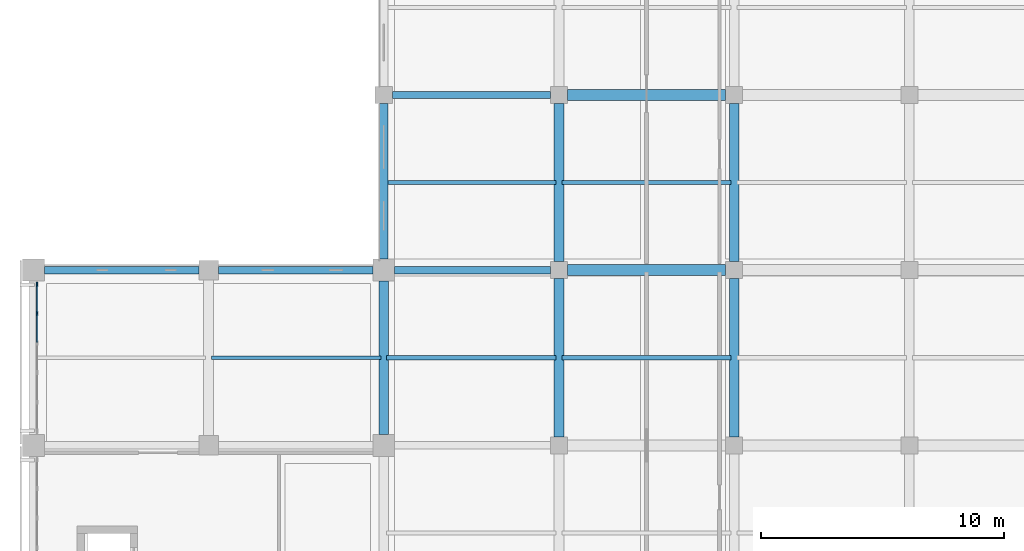
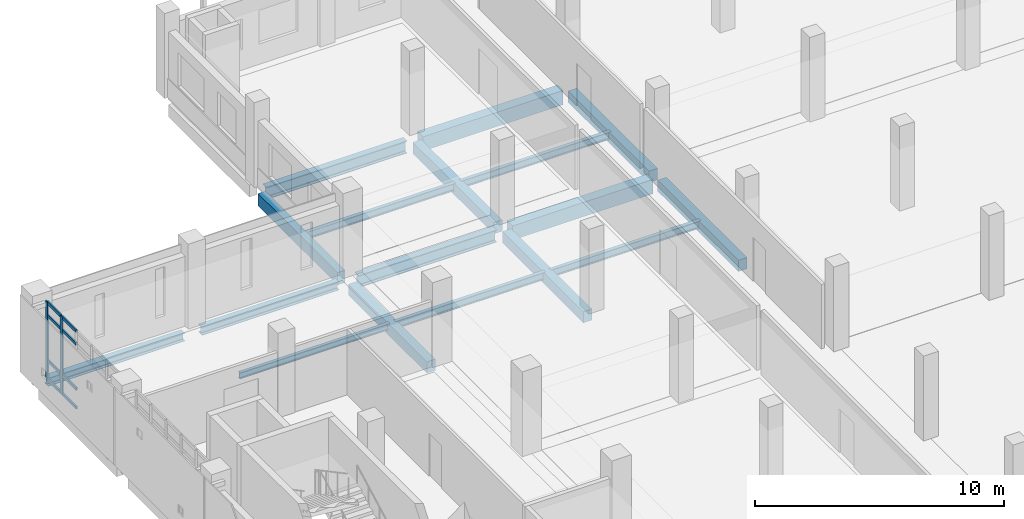
# One storey, part 24 of 62: 17 beams, 10 members, 1 element without a shape of its own.
"""IFC4 building model written with IfcOpenShell, lengths in metres."""

from ifc_helpers import new_model, si_unit, direction, frame, origin, origin_2d, place, context, subcontext, project, spatial, rectangle, i_section, extrude, material, layer, layer_set, material_profile, profile_set, type_object, element, aggregate, save


model = new_model("IFC4")

# Units and contexts
model_context = context("Model", 3, precision=1e-05, world=origin(), true_north=direction((0.0, 1.0)))
body_context = subcontext(model_context, "Body", "Model", "MODEL_VIEW")
ifc_project = project(units=[si_unit("LENGTHUNIT", "METRE"), si_unit("AREAUNIT", "SQUARE_METRE"), si_unit("VOLUMEUNIT", "CUBIC_METRE"), si_unit("PLANEANGLEUNIT", "RADIAN"), si_unit("MASSUNIT", "GRAM", prefix="KILO")], contexts=[model_context])

# Site, building, storey
site_placement = place(None, origin())
site = spatial("IfcSite", under=ifc_project, at=site_placement, CompositionType="ELEMENT")
building_placement = place(site_placement, origin())
building = spatial("IfcBuilding", under=site, at=building_placement, Name="Valkovuoma Quantum and Materials Research Institute", CompositionType="ELEMENT")
storey_placement = place(building_placement, frame((0.0, 0.0, 8.9599609375)))
storey = spatial("IfcBuildingStorey", under=building, at=storey_placement, Name="L02", CompositionType="ELEMENT", Elevation=8.9599609375)

# Beams
ifc_material_1 = material(Name="Steel S355J2", Category="steel")
ifc_material_profile_1 = material_profile(ifc_material_1, i_section(OverallWidth=0.300048828125, OverallDepth=0.389892578125, WebThickness=0.010986328125, FlangeThickness=0.01904296875, FilletRadius=0.027099609375, at=origin_2d()), Name="Steel S355J2")
ifc_profile_set_1 = profile_set([ifc_material_profile_1], Name="Steel S355J2")
beam_type_1 = type_object("IfcBeamType", Name="Beam-B-HEA400", PredefinedType="SPANDREL", material=ifc_profile_set_1)
beam_1_placement = place(storey_placement, frame((0.449951171875, 93.60009765625, -0.544921875), z_axis=(1.0, 0.0, 0.0), x_axis=(0.0, 1.0, 0.0)))
element("IfcBeam", 1, at=beam_1_placement, inside=storey, type_object=beam_type_1, Name="L02 beam X-1116", PredefinedType="SPANDREL", context=body_context, shape_type="SweptSolid", body=[
    extrude(i_section(OverallWidth=0.300048828125, OverallDepth=0.389892578125, WebThickness=0.010986328125, FlangeThickness=0.01904296875, FilletRadius=0.027099609375, at=origin_2d()), origin(), (0.0, 0.0, 1.0), 6.35009765625),
])
beam_2_placement = place(storey_placement, frame((7.60009765625, 93.60009765625, -0.544921875), z_axis=(1.0, 0.0, 0.0), x_axis=(0.0, 1.0, 0.0)))
element("IfcBeam", 2, at=beam_2_placement, inside=storey, type_object=beam_type_1, Name="L02 beam X-1117", PredefinedType="SPANDREL", context=body_context, shape_type="SweptSolid", body=[
    extrude(i_section(OverallWidth=0.300048828125, OverallDepth=0.389892578125, WebThickness=0.010986328125, FlangeThickness=0.01904296875, FilletRadius=0.027099609375, at=origin_2d()), origin(), (0.0, 0.0, 1.0), 6.349853515625),
])
ifc_material_2 = material(Name="Steel S355J2", Category="steel")
ifc_material_profile_2 = material_profile(ifc_material_2, i_section(OverallWidth=0.300048828125, OverallDepth=0.60009765625, WebThickness=0.015380859375, FlangeThickness=0.030029296875, FilletRadius=0.027099609375, at=origin_2d()), Name="Steel S355J2")
ifc_profile_set_2 = profile_set([ifc_material_profile_2], Name="Steel S355J2")
beam_type_2 = type_object("IfcBeamType", Name="Beam-B-HEB600", PredefinedType="BEAM", material=ifc_profile_set_2)
beam_3_placement = place(storey_placement, frame((14.85009765625, 93.60009765625, -0.64990234375), z_axis=(1.0, 0.0, 0.0), x_axis=(0.0, 1.0, 0.0)))
element("IfcBeam", 3, at=beam_3_placement, inside=storey, type_object=beam_type_2, Name="L02 beam X-1118", PredefinedType="BEAM", context=body_context, shape_type="SweptSolid", body=[
    extrude(i_section(OverallWidth=0.300048828125, OverallDepth=0.60009765625, WebThickness=0.015380859375, FlangeThickness=0.030029296875, FilletRadius=0.027099609375, at=origin_2d()), origin(), (0.0, 0.0, 1.0), 6.39990234375),
])
beam_4_placement = place(storey_placement, frame((14.75, 100.800048828125, -0.64990234375), z_axis=(1.0, 0.0, 0.0), x_axis=(0.0, 1.0, 0.0)))
element("IfcBeam", 4, at=beam_4_placement, inside=storey, type_object=beam_type_2, Name="L02 beam X-1128", PredefinedType="BEAM", context=body_context, shape_type="SweptSolid", body=[
    extrude(i_section(OverallWidth=0.300048828125, OverallDepth=0.60009765625, WebThickness=0.015380859375, FlangeThickness=0.030029296875, FilletRadius=0.027099609375, at=origin_2d()), origin(), (0.0, 0.0, 1.0), 6.5),
])
ifc_material_3 = material(Name="Steel S355J2", Category="steel")
ifc_material_profile_3 = material_profile(ifc_material_3, i_section(OverallWidth=0.14990234375, OverallDepth=0.300048828125, WebThickness=0.007080078125, FlangeThickness=0.0107421875, FilletRadius=0.014892578125, at=origin_2d()), Name="Steel S355J2")
ifc_profile_set_3 = profile_set([ifc_material_profile_3], Name="Steel S355J2")
beam_type_3 = type_object("IfcBeamType", Name="Beam-B-JST300", PredefinedType="JOIST", material=ifc_profile_set_3)
beam_5_placement = place(storey_placement, frame((7.320068359375, 90.0, -0.5), z_axis=(1.0, 0.0, 0.0), x_axis=(0.0, 1.0, 0.0)))
element("IfcBeam", 5, at=beam_5_placement, inside=storey, type_object=beam_type_3, Name="L02 floor joist 1388", PredefinedType="JOIST", context=body_context, shape_type="SweptSolid", body=[
    extrude(i_section(OverallWidth=0.14990234375, OverallDepth=0.300048828125, WebThickness=0.007080078125, FlangeThickness=0.0107421875, FilletRadius=0.014892578125, at=origin_2d()), origin(), (0.0, 0.0, 1.0), 6.9599609375),
])
ifc_material_4 = material(Name="Steel S355J2", Category="steel")
ifc_material_profile_4 = material_profile(ifc_material_4, i_section(OverallWidth=0.169921875, OverallDepth=0.360107421875, WebThickness=0.008056640625, FlangeThickness=0.0126953125, FilletRadius=0.01806640625, at=origin_2d()), Name="Steel S355J2")
ifc_profile_set_4 = profile_set([ifc_material_profile_4], Name="Steel S355J2")
beam_type_4 = type_object("IfcBeamType", Name="Beam-B-JST360", PredefinedType="JOIST", material=ifc_profile_set_4)
for number, where, z_axis, x_axis, name in (
    (6, (14.52001953125, 90.0, -0.530029296875), (1.0, 0.0, 0.0), (0.0, 1.0, 0.0), "L02 floor joist 1389"),
    (7, (21.719970703125, 90.0, -0.530029296875), (1.0, 0.0, 0.0), (0.0, 1.0, 0.0), "L02 floor joist 1390"),
    (8, (14.52001953125, 97.199951171875, -0.530029296875), (1.0, 0.0, 0.0), (0.0, 1.0, 0.0), "L02 floor joist 1399"),
    (9, (21.719970703125, 97.199951171875, -0.530029296875), (1.0, 0.0, 0.0), (0.0, 1.0, 0.0), "L02 floor joist 1400"),
):
    element("IfcBeam", number, at=place(storey_placement, frame(where, z_axis=z_axis, x_axis=x_axis)), inside=storey, type_object=beam_type_4, Name=name, PredefinedType="JOIST", context=body_context, shape_type="SweptSolid", body=[
        extrude(i_section(OverallWidth=0.169921875, OverallDepth=0.360107421875, WebThickness=0.008056640625, FlangeThickness=0.0126953125, FilletRadius=0.01806640625, at=origin_2d()), origin(), (0.0, 0.0, 1.0), 6.9599609375),
    ])
ifc_material_5 = material(Name="Concrete C40/50", Category="concrete")
ifc_material_profile_5 = material_profile(ifc_material_5, rectangle(XDim=0.39990234375, YDim=0.550048828125, at=origin_2d()), Name="Concrete C40/50")
ifc_profile_set_5 = profile_set([ifc_material_profile_5], Name="Concrete C40/50")
beam_type_5 = type_object("IfcBeamType", Name="Beam-B-RC550", PredefinedType="BEAM", material=ifc_profile_set_5)
beam_6_placement = place(storey_placement, frame((14.39990234375, 86.85009765625, -0.625), z_axis=(0.0, 1.0, 0.0), x_axis=(-1.0, 0.0, 0.0)))
element("IfcBeam", 10, at=beam_6_placement, inside=storey, type_object=beam_type_5, Name="L02 beam Y-1165", PredefinedType="BEAM", context=body_context, shape_type="SweptSolid", body=[
    extrude(rectangle(XDim=0.39990234375, YDim=0.550048828125, at=origin_2d()), origin(), (0.0, 0.0, 1.0), 6.2998046875),
])
for number, where, z_axis, x_axis, name in (
    (11, (21.60009765625, 86.75, -0.625), (0.0, 1.0, 0.0), (-1.0, 0.0, 0.0), "L02 beam Y-1175"),
    (12, (21.60009765625, 93.949951171875, -0.625), (0.0, 1.0, 0.0), (-1.0, 0.0, 0.0), "L02 beam Y-1176"),
    (13, (28.800048828125, 86.75, -0.625), (0.0, 1.0, 0.0), (-1.0, 0.0, 0.0), "L02 beam Y-1185"),
    (14, (28.800048828125, 93.949951171875, -0.625), (0.0, 1.0, 0.0), (-1.0, 0.0, 0.0), "L02 beam Y-1186"),
):
    element("IfcBeam", number, at=place(storey_placement, frame(where, z_axis=z_axis, x_axis=x_axis)), inside=storey, type_object=beam_type_5, Name=name, PredefinedType="BEAM", context=body_context, shape_type="SweptSolid", body=[
        extrude(rectangle(XDim=0.39990234375, YDim=0.550048828125, at=origin_2d()), origin(), (0.0, 0.0, 1.0), 6.5),
    ])
ifc_material_6 = material(Name="Concrete C40/50", Category="concrete")
ifc_material_profile_6 = material_profile(ifc_material_6, rectangle(XDim=0.449951171875, YDim=0.699951171875, at=origin_2d()), Name="Concrete C40/50")
ifc_profile_set_6 = profile_set([ifc_material_profile_6], Name="Concrete C40/50")
beam_type_6 = type_object("IfcBeamType", Name="Beam-B-RC700", PredefinedType="BEAM", material=ifc_profile_set_6)
for number, where, z_axis, x_axis, name in (
    (15, (21.949951171875, 93.60009765625, -0.699951171875), (1.0, 0.0, 0.0), (0.0, 1.0, 0.0), "L02 beam X-1119"),
    (16, (21.949951171875, 100.800048828125, -0.699951171875), (1.0, 0.0, 0.0), (0.0, 1.0, 0.0), "L02 beam X-1129"),
):
    element("IfcBeam", number, at=place(storey_placement, frame(where, z_axis=z_axis, x_axis=x_axis)), inside=storey, type_object=beam_type_6, Name=name, PredefinedType="BEAM", context=body_context, shape_type="SweptSolid", body=[
        extrude(rectangle(XDim=0.449951171875, YDim=0.699951171875, at=origin_2d()), origin(), (0.0, 0.0, 1.0), 6.5),
    ])
ifc_material_7 = material(Name="Concrete C40/50", Category="concrete")
ifc_material_profile_7 = material_profile(ifc_material_7, rectangle(XDim=0.35009765625, YDim=0.60009765625, at=origin_2d()), Name="Concrete C40/50")
ifc_profile_set_7 = profile_set([ifc_material_profile_7], Name="Concrete C40/50")
beam_type_7 = type_object("IfcBeamType", Name="Beam-B-SPN600", PredefinedType="SPANDREL", material=ifc_profile_set_7)
beam_7_placement = place(storey_placement, frame((14.39990234375, 94.050048828125, -0.64990234375), z_axis=(0.0, 1.0, 0.0), x_axis=(-1.0, 0.0, 0.0)))
element("IfcBeam", 17, at=beam_7_placement, inside=storey, type_object=beam_type_7, Name="L02 beam Y-1166", PredefinedType="SPANDREL", context=body_context, shape_type="SweptSolid", body=[
    extrude(rectangle(XDim=0.35009765625, YDim=0.60009765625, at=origin_2d()), origin(), (0.0, 0.0, 1.0), 6.39990234375),
])

# Curtain wall, members
ifc_material_8 = material(Name="Thermally broken aluminium and triple low-E glazing", Category="aluminium")
ifc_layer = layer(ifc_material_8, 0.219970703125)
ifc_layer_set = layer_set([ifc_layer], Name="Thermally broken aluminium and triple low-E glazing")
curtain_wall_type = type_object("IfcCurtainWallType", Name="CW-CW-01", PredefinedType="NOTDEFINED", material=ifc_layer_set)
curtain_wall_placement = place(storey_placement, origin())
curtain_wall = element("IfcCurtainWall", 18, at=curtain_wall_placement, inside=storey, type_object=curtain_wall_type, Name="L02 curtain wall 027", PredefinedType="NOTDEFINED")
ifc_material_9 = material(Name="Anodised aluminium 6060-T66", Category="aluminium")
ifc_material_profile_8 = material_profile(ifc_material_9, rectangle(XDim=0.06494140625, YDim=0.179931640625, at=origin_2d()), Name="Anodised aluminium 6060-T66")
ifc_profile_set_8 = profile_set([ifc_material_profile_8], Name="Anodised aluminium 6060-T66")
member_type_1 = type_object("IfcMemberType", Name="CWMull-CWM-01", PredefinedType="MULLION", material=ifc_profile_set_8)
member_1_placement = place(storey_placement, frame((0.14990234375, 91.82568359375, 0.0), z_axis=(0.0, 0.0, 1.0), x_axis=(-1.0, 0.0, 0.0)))
member_1 = element("IfcMember", 19, at=member_1_placement, type_object=member_type_1, Name="CW-01 mullion 5", PredefinedType="MULLION", context=body_context, shape_type="SweptSolid", body=[
    extrude(rectangle(XDim=0.06494140625, YDim=0.179931640625, at=origin_2d()), origin(), (0.0, 0.0, 1.0), 3.81005859375),
])
member_2_placement = place(storey_placement, frame((0.14990234375, 93.010498046875, 0.0), z_axis=(0.0, 0.0, 1.0), x_axis=(-1.0, 0.0, 0.0)))
member_2 = element("IfcMember", 20, at=member_2_placement, type_object=member_type_1, Name="CW-01 mullion 6", PredefinedType="MULLION", context=body_context, shape_type="SweptSolid", body=[
    extrude(rectangle(XDim=0.06494140625, YDim=0.179931640625, at=origin_2d()), origin(), (0.0, 0.0, 1.0), 3.81005859375),
])
ifc_material_10 = material(Name="Anodised aluminium 6060-T66", Category="aluminium")
ifc_material_profile_9 = material_profile(ifc_material_10, rectangle(XDim=0.06494140625, YDim=0.139892578125, at=origin_2d()), Name="Anodised aluminium 6060-T66")
ifc_profile_set_9 = profile_set([ifc_material_profile_9], Name="Anodised aluminium 6060-T66")
member_type_2 = type_object("IfcMemberType", Name="CWTran-CWT-01", PredefinedType="USERDEFINED", material=ifc_profile_set_9)
member_3_placement = place(storey_placement, frame((0.14990234375, 90.64111328125, 0.032470703125), z_axis=(0.0, 1.0, 0.0), x_axis=(-1.0, 0.0, 0.0)))
member_3 = element("IfcMember", 21, at=member_3_placement, type_object=member_type_2, Name="CW-01 transom 4.1", ObjectType="TRANSOM", PredefinedType="USERDEFINED", context=body_context, shape_type="SweptSolid", body=[
    extrude(rectangle(XDim=0.06494140625, YDim=0.139892578125, at=origin_2d()), origin(), (0.0, 0.0, 1.0), 1.152099609375),
])
member_4_placement = place(storey_placement, frame((0.14990234375, 90.64111328125, 0.949951171875), z_axis=(0.0, 1.0, 0.0), x_axis=(-1.0, 0.0, 0.0)))
member_4 = element("IfcMember", 22, at=member_4_placement, type_object=member_type_2, Name="CW-01 transom 4.2", ObjectType="TRANSOM", PredefinedType="USERDEFINED", context=body_context, shape_type="SweptSolid", body=[
    extrude(rectangle(XDim=0.06494140625, YDim=0.139892578125, at=origin_2d()), origin(), (0.0, 0.0, 1.0), 1.152099609375),
])
member_5_placement = place(storey_placement, frame((0.14990234375, 90.64111328125, 3.16015625), z_axis=(0.0, 1.0, 0.0), x_axis=(-1.0, 0.0, 0.0)))
member_5 = element("IfcMember", 23, at=member_5_placement, type_object=member_type_2, Name="CW-01 transom 4.3", ObjectType="TRANSOM", PredefinedType="USERDEFINED", context=body_context, shape_type="SweptSolid", body=[
    extrude(rectangle(XDim=0.06494140625, YDim=0.139892578125, at=origin_2d()), origin(), (0.0, 0.0, 1.0), 1.152099609375),
])
member_6_placement = place(storey_placement, frame((0.14990234375, 90.64111328125, 3.777587890625), z_axis=(0.0, 1.0, 0.0), x_axis=(-1.0, 0.0, 0.0)))
member_6 = element("IfcMember", 24, at=member_6_placement, type_object=member_type_2, Name="CW-01 transom 4.4", ObjectType="TRANSOM", PredefinedType="USERDEFINED", context=body_context, shape_type="SweptSolid", body=[
    extrude(rectangle(XDim=0.06494140625, YDim=0.139892578125, at=origin_2d()), origin(), (0.0, 0.0, 1.0), 1.152099609375),
])
member_7_placement = place(storey_placement, frame((0.14990234375, 91.858154296875, 0.032470703125), z_axis=(0.0, 1.0, 0.0), x_axis=(-1.0, 0.0, 0.0)))
member_7 = element("IfcMember", 25, at=member_7_placement, type_object=member_type_2, Name="CW-01 transom 5.1", ObjectType="TRANSOM", PredefinedType="USERDEFINED", context=body_context, shape_type="SweptSolid", body=[
    extrude(rectangle(XDim=0.06494140625, YDim=0.139892578125, at=origin_2d()), origin(), (0.0, 0.0, 1.0), 1.11962890625),
])
member_8_placement = place(storey_placement, frame((0.14990234375, 91.858154296875, 0.949951171875), z_axis=(0.0, 1.0, 0.0), x_axis=(-1.0, 0.0, 0.0)))
member_8 = element("IfcMember", 26, at=member_8_placement, type_object=member_type_2, Name="CW-01 transom 5.2", ObjectType="TRANSOM", PredefinedType="USERDEFINED", context=body_context, shape_type="SweptSolid", body=[
    extrude(rectangle(XDim=0.06494140625, YDim=0.139892578125, at=origin_2d()), origin(), (0.0, 0.0, 1.0), 1.11962890625),
])
member_9_placement = place(storey_placement, frame((0.14990234375, 91.858154296875, 3.16015625), z_axis=(0.0, 1.0, 0.0), x_axis=(-1.0, 0.0, 0.0)))
member_9 = element("IfcMember", 27, at=member_9_placement, type_object=member_type_2, Name="CW-01 transom 5.3", ObjectType="TRANSOM", PredefinedType="USERDEFINED", context=body_context, shape_type="SweptSolid", body=[
    extrude(rectangle(XDim=0.06494140625, YDim=0.139892578125, at=origin_2d()), origin(), (0.0, 0.0, 1.0), 1.11962890625),
])
member_10_placement = place(storey_placement, frame((0.14990234375, 91.858154296875, 3.777587890625), z_axis=(0.0, 1.0, 0.0), x_axis=(-1.0, 0.0, 0.0)))
member_10 = element("IfcMember", 28, at=member_10_placement, type_object=member_type_2, Name="CW-01 transom 5.4", ObjectType="TRANSOM", PredefinedType="USERDEFINED", context=body_context, shape_type="SweptSolid", body=[
    extrude(rectangle(XDim=0.06494140625, YDim=0.139892578125, at=origin_2d()), origin(), (0.0, 0.0, 1.0), 1.11962890625),
])
aggregate(curtain_wall, [member_1, member_2, member_3, member_4, member_5, member_6, member_7, member_8, member_9, member_10])

save(model, "model.ifc")
